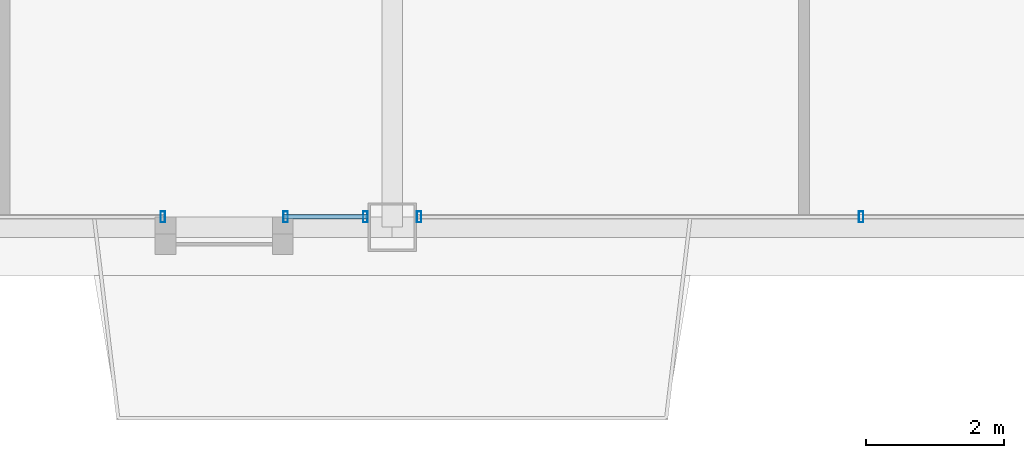
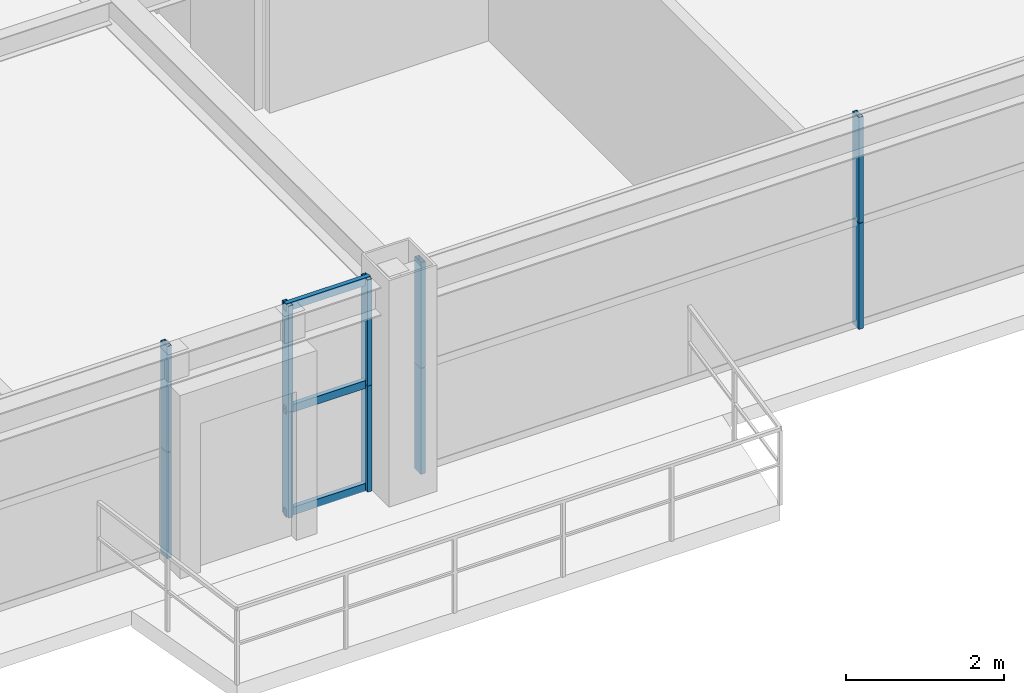
# One storey, part 10 of 35: 13 members, 3 elements without a shape of their own.
"""IFC4 building model written with IfcOpenShell, lengths in metres."""

from ifc_helpers import new_model, si_unit, direction, frame, origin, origin_2d, place, context, subcontext, project, spatial, hollow_rectangle, extrude, source, transform, mapped, material, layer, layer_set, material_profile, profile_set, type_object, element, aggregate, save


model = new_model("IFC4")

# Units and contexts
model_context = context("Model", 3, precision=1e-05, world=origin(), true_north=direction((0.0, 1.0)))
body_context = subcontext(model_context, "Body", "Model", "MODEL_VIEW")
ifc_project = project(units=[si_unit("LENGTHUNIT", "METRE"), si_unit("AREAUNIT", "SQUARE_METRE"), si_unit("VOLUMEUNIT", "CUBIC_METRE"), si_unit("PLANEANGLEUNIT", "RADIAN"), si_unit("MASSUNIT", "GRAM", prefix="KILO"), si_unit("THERMODYNAMICTEMPERATUREUNIT", "KELVIN"), si_unit("POWERUNIT", "WATT")], contexts=[model_context])

# Site, building, storey
site_placement = place(None, origin())
site = spatial("IfcSite", under=ifc_project, at=site_placement, CompositionType="ELEMENT")
building_placement = place(site_placement, origin())
building = spatial("IfcBuilding", under=site, at=building_placement, Name="Yuzanri Waterfront Tower", CompositionType="ELEMENT")
storey_placement = place(building_placement, frame((0.0, 0.0, 271.60009765625)))
storey = spatial("IfcBuildingStorey", under=building, at=storey_placement, Name="L72", CompositionType="ELEMENT", Elevation=271.60009765625)

# Curtain wall, members
ifc_material_1 = material(Name="Anodized Architectural Bronze", Category="metal")
ifc_layer = layer(ifc_material_1, 0.159912109375)
ifc_layer_set = layer_set([ifc_layer], Name="Anodized Architectural Bronze")
curtain_wall_type = type_object("IfcCurtainWallType", Name="Anodized Bronze Mid-Rise Residential Acoustic Unitized Curtain Wall 7200", PredefinedType="NOTDEFINED", material=ifc_layer_set)
curtain_wall_1_placement = place(storey_placement, origin())
curtain_wall_1 = element("IfcCurtainWall", 1, at=curtain_wall_1_placement, inside=storey, type_object=curtain_wall_type, Name="L72 Curtain Wall CW-L72-SL1", PredefinedType="NOTDEFINED")
ifc_material_2 = material(Name="Anodized Architectural Bronze", Category="metal")
ifc_material_profile_1 = material_profile(ifc_material_2, hollow_rectangle(XDim=0.06494140625, YDim=0.159912109375, WallThickness=0.00341796875, at=origin_2d()), Name="CWM 65x160")
ifc_profile_set_1 = profile_set([ifc_material_profile_1], Name="Anodized Architectural Bronze")
member_type_1 = type_object("IfcMemberType", Name="Anodized Bronze Upper-Zone Curtain-Wall Mullion 65x160", PredefinedType="MULLION", material=ifc_profile_set_1)
shared_shape_1 = source(origin(), body_context, "Body", "SweptSolid", [
    extrude(hollow_rectangle(XDim=0.06494140625, YDim=0.159912109375, WallThickness=0.00341796875, at=origin_2d()), origin(), (0.0, 0.0, 1.0), 1.637939453125),
])
member_1_placement = place(storey_placement, frame((33.674072265625, 5.35009765625, 0.0), z_axis=(0.0, 0.0, 1.0), x_axis=(1.0, 0.0, 0.0)))
member_1 = element("IfcMember", 2, at=member_1_placement, type_object=member_type_1, Name="CW-L72-SL1 Lower Mullion 01", PredefinedType="MULLION", context=body_context, shape_type="MappedRepresentation", body=[
    mapped(shared_shape_1, transform((0.0, 0.0, 0.0), scale=1.0)),
])
member_2_placement = place(storey_placement, frame((33.674072265625, 5.35009765625, 1.641845703125), z_axis=(0.0, 0.0, 1.0), x_axis=(1.0, 0.0, 0.0)))
member_2 = element("IfcMember", 3, at=member_2_placement, type_object=member_type_1, Name="CW-L72-SL1 Upper Mullion 01", PredefinedType="MULLION", context=body_context, shape_type="MappedRepresentation", body=[
    mapped(shared_shape_1, transform((0.0, 0.0, 0.0), scale=1.0)),
])
aggregate(curtain_wall_1, [member_1, member_2])

curtain_wall_2_placement = place(storey_placement, origin())
curtain_wall_2 = element("IfcCurtainWall", 4, at=curtain_wall_2_placement, inside=storey, type_object=curtain_wall_type, Name="L72 Curtain Wall CW-L72-SL2", PredefinedType="NOTDEFINED")
member_3_placement = place(storey_placement, frame((35.4541015625, 5.35009765625, 0.0), z_axis=(0.0, 0.0, 1.0), x_axis=(1.0, 0.0, 0.0)))
member_3 = element("IfcMember", 5, at=member_3_placement, type_object=member_type_1, Name="CW-L72-SL2 Lower Mullion 00", PredefinedType="MULLION", context=body_context, shape_type="MappedRepresentation", body=[
    mapped(shared_shape_1, transform((0.0, 0.0, 0.0), scale=1.0)),
])
member_4_placement = place(storey_placement, frame((35.4541015625, 5.35009765625, 1.641845703125), z_axis=(0.0, 0.0, 1.0), x_axis=(1.0, 0.0, 0.0)))
member_4 = element("IfcMember", 6, at=member_4_placement, type_object=member_type_1, Name="CW-L72-SL2 Upper Mullion 00", PredefinedType="MULLION", context=body_context, shape_type="MappedRepresentation", body=[
    mapped(shared_shape_1, transform((0.0, 0.0, 0.0), scale=1.0)),
])
member_5_placement = place(storey_placement, frame((36.610107421875, 5.35009765625, 0.0), z_axis=(0.0, 0.0, 1.0), x_axis=(1.0, 0.0, 0.0)))
member_5 = element("IfcMember", 7, at=member_5_placement, type_object=member_type_1, Name="CW-L72-SL2 Lower Mullion 01", PredefinedType="MULLION", context=body_context, shape_type="MappedRepresentation", body=[
    mapped(shared_shape_1, transform((0.0, 0.0, 0.0), scale=1.0)),
])
member_6_placement = place(storey_placement, frame((36.610107421875, 5.35009765625, 1.641845703125), z_axis=(0.0, 0.0, 1.0), x_axis=(1.0, 0.0, 0.0)))
member_6 = element("IfcMember", 8, at=member_6_placement, type_object=member_type_1, Name="CW-L72-SL2 Upper Mullion 01", PredefinedType="MULLION", context=body_context, shape_type="MappedRepresentation", body=[
    mapped(shared_shape_1, transform((0.0, 0.0, 0.0), scale=1.0)),
])

curtain_wall_3_placement = place(storey_placement, origin())
curtain_wall_3 = element("IfcCurtainWall", 9, at=curtain_wall_3_placement, inside=storey, type_object=curtain_wall_type, Name="L72 Curtain Wall CW-L72-SR", PredefinedType="NOTDEFINED")
member_7_placement = place(storey_placement, frame((37.389892578125, 5.35009765625, 0.0), z_axis=(0.0, 0.0, 1.0), x_axis=(1.0, 0.0, 0.0)))
member_7 = element("IfcMember", 10, at=member_7_placement, type_object=member_type_1, Name="CW-L72-SR Lower Mullion 00", PredefinedType="MULLION", context=body_context, shape_type="MappedRepresentation", body=[
    mapped(shared_shape_1, transform((0.0, 0.0, 0.0), scale=1.0)),
])
member_8_placement = place(storey_placement, frame((37.389892578125, 5.35009765625, 1.641845703125), z_axis=(0.0, 0.0, 1.0), x_axis=(1.0, 0.0, 0.0)))
member_8 = element("IfcMember", 11, at=member_8_placement, type_object=member_type_1, Name="CW-L72-SR Upper Mullion 00", PredefinedType="MULLION", context=body_context, shape_type="MappedRepresentation", body=[
    mapped(shared_shape_1, transform((0.0, 0.0, 0.0), scale=1.0)),
])
member_9_placement = place(storey_placement, frame((43.800048828125, 5.35009765625, 0.0), z_axis=(0.0, 0.0, 1.0), x_axis=(1.0, 0.0, 0.0)))
member_9 = element("IfcMember", 12, at=member_9_placement, type_object=member_type_1, Name="CW-L72-SR Lower Mullion 01", PredefinedType="MULLION", context=body_context, shape_type="MappedRepresentation", body=[
    mapped(shared_shape_1, transform((0.0, 0.0, 0.0), scale=1.0)),
])
member_10_placement = place(storey_placement, frame((43.800048828125, 5.35009765625, 1.641845703125), z_axis=(0.0, 0.0, 1.0), x_axis=(1.0, 0.0, 0.0)))
member_10 = element("IfcMember", 13, at=member_10_placement, type_object=member_type_1, Name="CW-L72-SR Upper Mullion 01", PredefinedType="MULLION", context=body_context, shape_type="MappedRepresentation", body=[
    mapped(shared_shape_1, transform((0.0, 0.0, 0.0), scale=1.0)),
])
aggregate(curtain_wall_3, [member_7, member_8, member_9, member_10])

# Member
ifc_material_3 = material(Name="Anodized Architectural Bronze", Category="metal")
ifc_material_profile_2 = material_profile(ifc_material_3, hollow_rectangle(XDim=0.06494140625, YDim=0.1201171875, WallThickness=0.00341796875, at=origin_2d()), Name="CWT 65x120")
ifc_profile_set_2 = profile_set([ifc_material_profile_2], Name="Anodized Architectural Bronze")
member_type_2 = type_object("IfcMemberType", Name="Anodized Bronze Secondary Curtain-Wall Transom 65x120", PredefinedType="USERDEFINED", material=ifc_profile_set_2)
shared_shape_2 = source(origin(), body_context, "Body", "SweptSolid", [
    extrude(hollow_rectangle(XDim=0.06494140625, YDim=0.1201171875, WallThickness=0.00341796875, at=origin_2d()), origin(), (0.0, 0.0, 1.0), 1.23583984375),
])
member_11_placement = place(storey_placement, frame((35.4140625, 5.35009765625, 0.0498046875), z_axis=(1.0, 0.0, 0.0), x_axis=(0.0, 1.0, 0.0)))
member_11 = element("IfcMember", 14, at=member_11_placement, type_object=member_type_2, Name="CW-L72-SL2 Transom 1", ObjectType="TRANSOM", PredefinedType="USERDEFINED", context=body_context, shape_type="MappedRepresentation", body=[
    mapped(shared_shape_2, transform((0.0, 0.0, 0.0), scale=1.0)),
])

member_12_placement = place(storey_placement, frame((35.4140625, 5.35009765625, 1.639892578125), z_axis=(1.0, 0.0, 0.0), x_axis=(0.0, 1.0, 0.0)))
member_12 = element("IfcMember", 15, at=member_12_placement, type_object=member_type_2, Name="CW-L72-SL2 Transom 2", ObjectType="TRANSOM", PredefinedType="USERDEFINED", context=body_context, shape_type="MappedRepresentation", body=[
    mapped(shared_shape_2, transform((0.0, 0.0, 0.0), scale=1.0)),
])

member_13_placement = place(storey_placement, frame((35.4140625, 5.35009765625, 3.22998046875), z_axis=(1.0, 0.0, 0.0), x_axis=(0.0, 1.0, 0.0)))
member_13 = element("IfcMember", 16, at=member_13_placement, type_object=member_type_2, Name="CW-L72-SL2 Transom 3", ObjectType="TRANSOM", PredefinedType="USERDEFINED", context=body_context, shape_type="MappedRepresentation", body=[
    mapped(shared_shape_2, transform((0.0, 0.0, 0.0), scale=1.0)),
])

aggregate(curtain_wall_2, [member_3, member_4, member_5, member_6, member_11, member_12, member_13])

save(model, "model.ifc")
